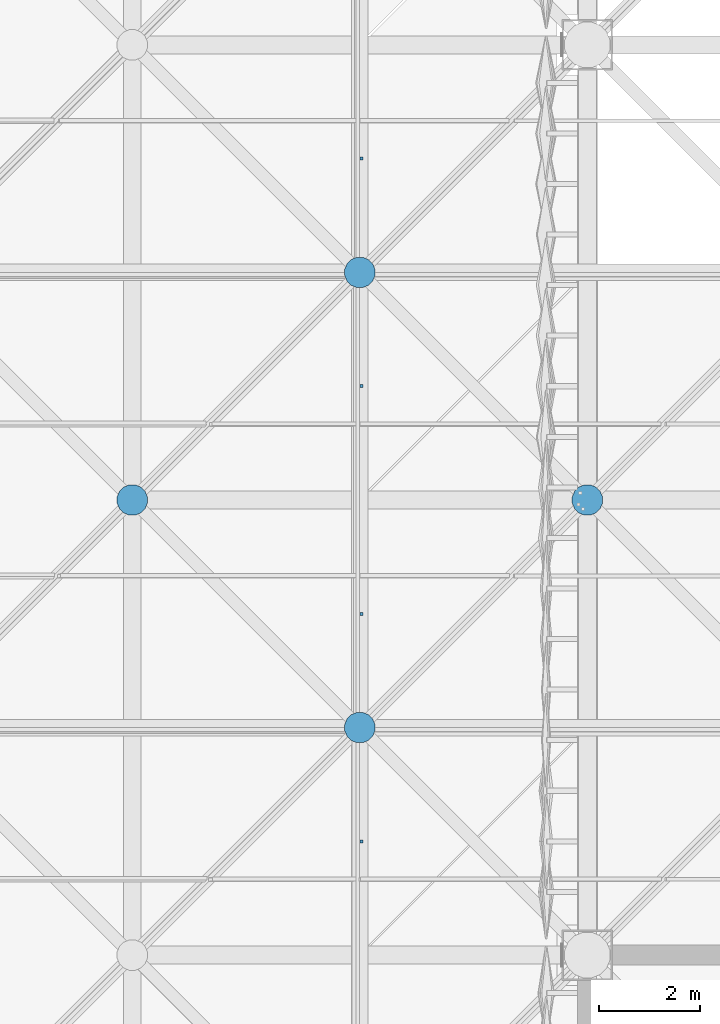
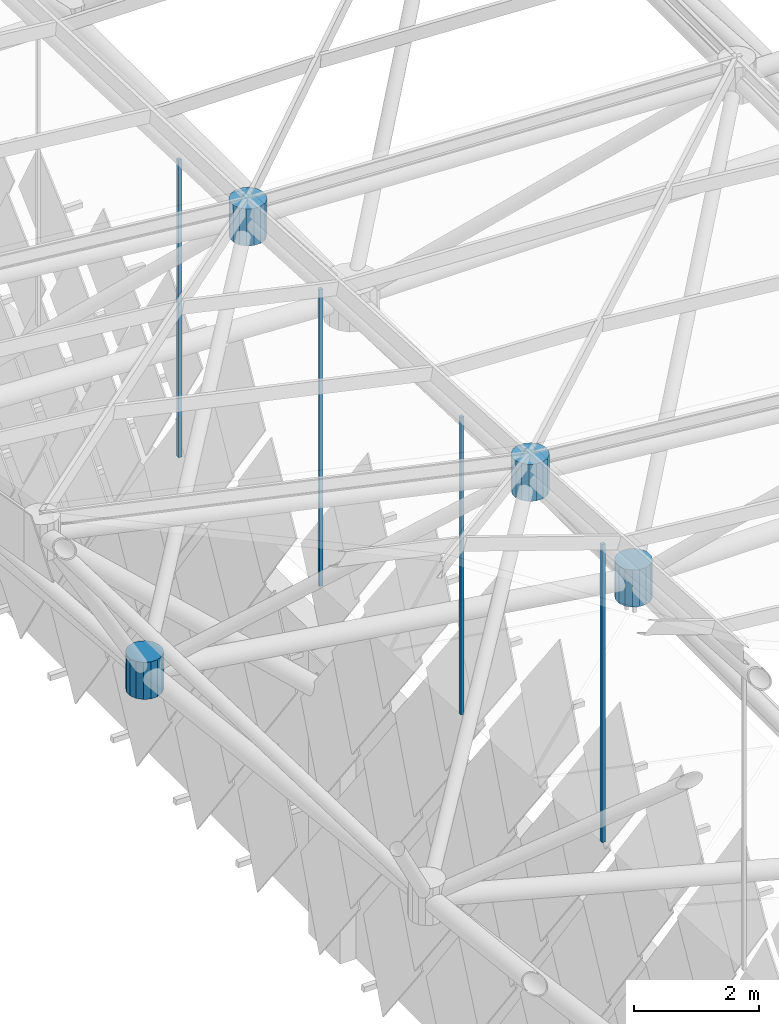
# One storey, part 291 of 437: 8 discrete accessories.
"""IFC4 building model written with IfcOpenShell, lengths in metres."""

from ifc_helpers import new_model, si_unit, direction, frame, origin, place, context, subcontext, project, spatial, polyline, outline, extrude, material, type_object, element, save


model = new_model("IFC4")

# Units and contexts
model_context = context("Model", 3, precision=1e-05, world=origin(), true_north=direction((0.0, 1.0)))
body_context = subcontext(model_context, "Body", "Model", "MODEL_VIEW")
ifc_project = project(units=[si_unit("LENGTHUNIT", "METRE"), si_unit("AREAUNIT", "SQUARE_METRE"), si_unit("VOLUMEUNIT", "CUBIC_METRE"), si_unit("PLANEANGLEUNIT", "RADIAN"), si_unit("MASSUNIT", "GRAM", prefix="KILO")], contexts=[model_context])

# Site, building, storey
site_placement = place(None, origin())
site = spatial("IfcSite", under=ifc_project, at=site_placement, CompositionType="ELEMENT")
building_placement = place(site_placement, origin())
building = spatial("IfcBuilding", under=site, at=building_placement, Name="Opaline Strait Convention Centre", CompositionType="ELEMENT")
storey_placement = place(building_placement, frame((0.0, 0.0, 11.5)))
storey = spatial("IfcBuildingStorey", under=building, at=storey_placement, Name="L02", CompositionType="ELEMENT", Elevation=11.5)

# Discrete accessories
ifc_material_1 = material(Name="Steel Q355B", Category="steel")
discrete_accessory_type_1 = type_object("IfcDiscreteAccessoryType", Name="Soffit hanger 60x60 steel", PredefinedType="BRACKET", material=ifc_material_1)
discrete_accessory_1_placement = place(storey_placement, frame((0.0, 0.0, 13.026611328125)))
element("IfcDiscreteAccessory", 1, at=discrete_accessory_1_placement, inside=storey, type_object=discrete_accessory_type_1, Name="Soffit hanger", PredefinedType="BRACKET", context=body_context, shape_type="SweptSolid", body=[
    extrude(outline(polyline([(94.5048828125, 74.219970703125), (94.56494140625, 74.219970703125), (94.56494140625, 74.280029296875), (94.5048828125, 74.280029296875), (94.5048828125, 74.219970703125)])), origin(), (0.0, 0.0, 1.0), 5.800048828125),
])
discrete_accessory_2_placement = place(storey_placement, frame((0.0, 0.0, 12.7802734375)))
element("IfcDiscreteAccessory", 2, at=discrete_accessory_2_placement, inside=storey, type_object=discrete_accessory_type_1, Name="Soffit hanger", PredefinedType="BRACKET", context=body_context, shape_type="SweptSolid", body=[
    extrude(outline(polyline([(94.5048828125, 78.719970703125), (94.56494140625, 78.719970703125), (94.56494140625, 78.780029296875), (94.5048828125, 78.780029296875), (94.5048828125, 78.719970703125)])), origin(), (0.0, 0.0, 1.0), 5.796630859375),
])
discrete_accessory_3_placement = place(storey_placement, frame((0.0, 0.0, 12.551513671875)))
element("IfcDiscreteAccessory", 3, at=discrete_accessory_3_placement, inside=storey, type_object=discrete_accessory_type_1, Name="Soffit hanger", PredefinedType="BRACKET", context=body_context, shape_type="SweptSolid", body=[
    extrude(outline(polyline([(94.5048828125, 83.219970703125), (94.56494140625, 83.219970703125), (94.56494140625, 83.280029296875), (94.5048828125, 83.280029296875), (94.5048828125, 83.219970703125)])), origin(), (0.0, 0.0, 1.0), 5.78125),
])
discrete_accessory_4_placement = place(storey_placement, frame((0.0, 0.0, 12.332763671875)))
element("IfcDiscreteAccessory", 4, at=discrete_accessory_4_placement, inside=storey, type_object=discrete_accessory_type_1, Name="Soffit hanger", PredefinedType="BRACKET", context=body_context, shape_type="SweptSolid", body=[
    extrude(outline(polyline([(94.5048828125, 87.719970703125), (94.56494140625, 87.719970703125), (94.56494140625, 87.780029296875), (94.5048828125, 87.780029296875), (94.5048828125, 87.719970703125)])), origin(), (0.0, 0.0, 1.0), 5.7939453125),
])
ifc_material_2 = material(Name="Cast steel ZG300-500H (300 MPa)", Category="steel")
discrete_accessory_type_2 = type_object("IfcDiscreteAccessoryType", Name="Space frame node hub D600", PredefinedType="USERDEFINED", material=ifc_material_2)
discrete_accessory_5_placement = place(storey_placement, frame((0.0, 0.0, 18.501220703125)))
element("IfcDiscreteAccessory", 5, at=discrete_accessory_5_placement, inside=storey, type_object=discrete_accessory_type_2, Name="Top node 2/5", ObjectType="NODE HUB", PredefinedType="USERDEFINED", context=body_context, shape_type="SweptSolid", body=[
    extrude(outline(polyline([(94.800048828125, 76.559814453125), (94.75439453125, 76.669921875), (94.669921875, 76.75439453125), (94.559814453125, 76.800048828125), (94.440185546875, 76.800048828125), (94.330078125, 76.75439453125), (94.24560546875, 76.669921875), (94.199951171875, 76.559814453125), (94.199951171875, 76.440185546875), (94.24560546875, 76.330078125), (94.330078125, 76.24560546875), (94.440185546875, 76.199951171875), (94.559814453125, 76.199951171875), (94.669921875, 76.24560546875), (94.75439453125, 76.330078125), (94.800048828125, 76.440185546875), (94.800048828125, 76.559814453125)])), origin(), (0.0, 0.0, 1.0), 0.719970703125),
])
discrete_accessory_6_placement = place(storey_placement, frame((0.0, 0.0, 18.013427734375)))
element("IfcDiscreteAccessory", 6, at=discrete_accessory_6_placement, inside=storey, type_object=discrete_accessory_type_2, Name="Top node 2/6", ObjectType="NODE HUB", PredefinedType="USERDEFINED", context=body_context, shape_type="SweptSolid", body=[
    extrude(outline(polyline([(94.800048828125, 85.559814453125), (94.75439453125, 85.669921875), (94.669921875, 85.75439453125), (94.559814453125, 85.800048828125), (94.440185546875, 85.800048828125), (94.330078125, 85.75439453125), (94.24560546875, 85.669921875), (94.199951171875, 85.559814453125), (94.199951171875, 85.440185546875), (94.24560546875, 85.330078125), (94.330078125, 85.24560546875), (94.440185546875, 85.199951171875), (94.559814453125, 85.199951171875), (94.669921875, 85.24560546875), (94.75439453125, 85.330078125), (94.800048828125, 85.440185546875), (94.800048828125, 85.559814453125)])), origin(), (0.0, 0.0, 1.0), 0.719970703125),
])
discrete_accessory_7_placement = place(storey_placement, frame((0.0, 0.0, 13.49462890625)))
element("IfcDiscreteAccessory", 7, at=discrete_accessory_7_placement, inside=storey, type_object=discrete_accessory_type_2, Name="Bottom node 1/5", ObjectType="NODE HUB", PredefinedType="USERDEFINED", context=body_context, shape_type="SweptSolid", body=[
    extrude(outline(polyline([(90.300048828125, 81.059814453125), (90.25439453125, 81.169921875), (90.169921875, 81.25439453125), (90.059814453125, 81.300048828125), (89.940185546875, 81.300048828125), (89.830078125, 81.25439453125), (89.74560546875, 81.169921875), (89.699951171875, 81.059814453125), (89.699951171875, 80.940185546875), (89.74560546875, 80.830078125), (89.830078125, 80.74560546875), (89.940185546875, 80.699951171875), (90.059814453125, 80.699951171875), (90.169921875, 80.74560546875), (90.25439453125, 80.830078125), (90.300048828125, 80.940185546875), (90.300048828125, 81.059814453125)])), origin(), (0.0, 0.0, 1.0), 0.719970703125),
])
discrete_accessory_8_placement = place(storey_placement, frame((0.0, 0.0, 12.139892578125)))
element("IfcDiscreteAccessory", 8, at=discrete_accessory_8_placement, inside=storey, type_object=discrete_accessory_type_2, Name="Bottom node 2/5", ObjectType="NODE HUB", PredefinedType="USERDEFINED", context=body_context, shape_type="SweptSolid", body=[
    extrude(outline(polyline([(99.300048828125, 81.059814453125), (99.25439453125, 81.169921875), (99.169921875, 81.25439453125), (99.059814453125, 81.300048828125), (98.940185546875, 81.300048828125), (98.830078125, 81.25439453125), (98.74560546875, 81.169921875), (98.699951171875, 81.059814453125), (98.699951171875, 80.940185546875), (98.74560546875, 80.830078125), (98.830078125, 80.74560546875), (98.940185546875, 80.699951171875), (99.059814453125, 80.699951171875), (99.169921875, 80.74560546875), (99.25439453125, 80.830078125), (99.300048828125, 80.940185546875), (99.300048828125, 81.059814453125)])), origin(), (0.0, 0.0, 1.0), 0.72021484375),
])

save(model, "model.ifc")
